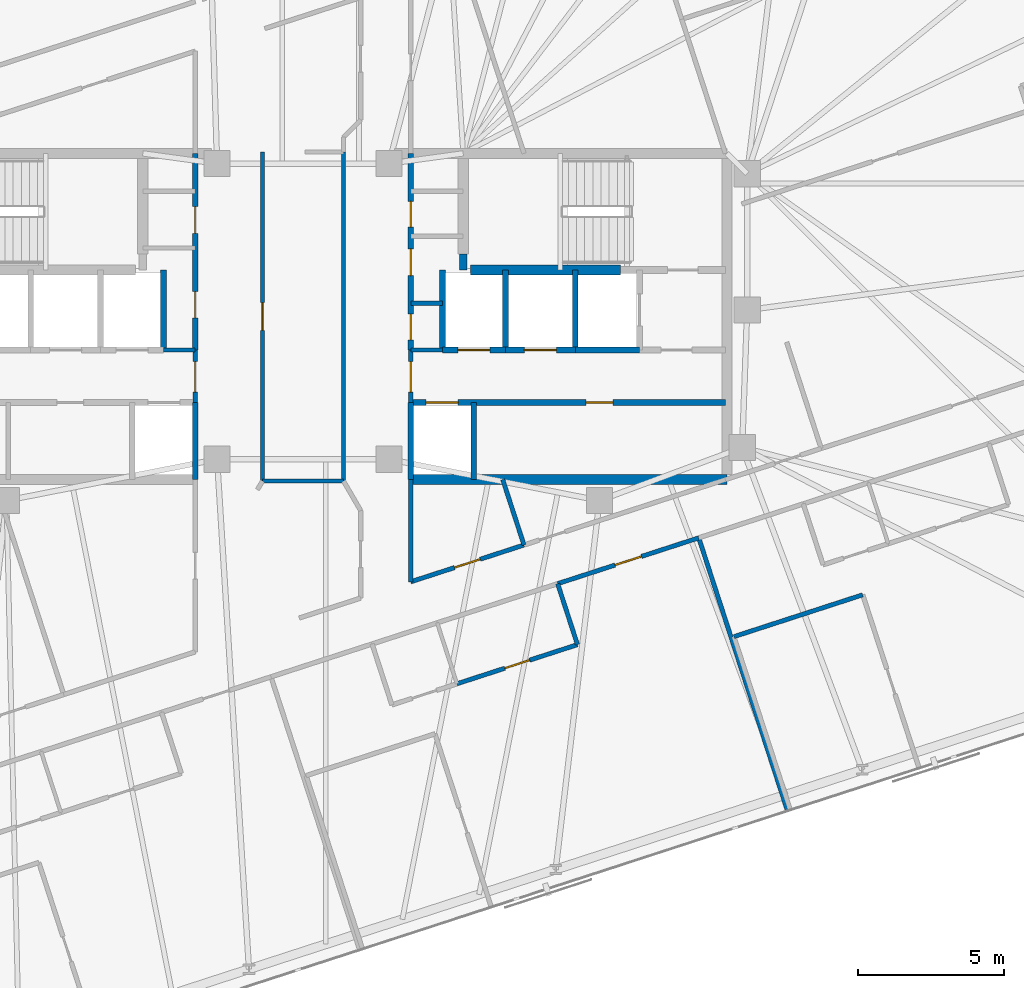
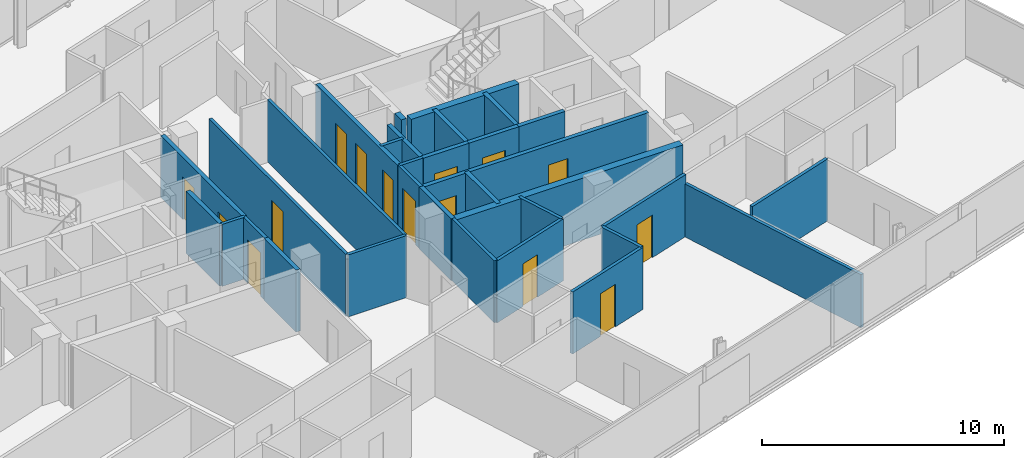
# One storey, part 15 of 19: 32 walls, 15 doors, 15 openings.
"""IFC4 building model written with IfcOpenShell, lengths in metres."""

from ifc_helpers import new_model, si_unit, direction, frame, frame_2d, origin, place, context, subcontext, project, spatial, rectangle, extrude, material, layer, layer_set, type_object, element, fill, save


model = new_model("IFC4")

# Units and contexts
model_context = context("Model", 3, precision=1e-05, world=origin(), true_north=direction((0.0, 1.0)))
body_context = subcontext(model_context, "Body", "Model", "MODEL_VIEW")
ifc_project = project(units=[si_unit("LENGTHUNIT", "METRE"), si_unit("AREAUNIT", "SQUARE_METRE"), si_unit("VOLUMEUNIT", "CUBIC_METRE"), si_unit("PLANEANGLEUNIT", "RADIAN"), si_unit("MASSUNIT", "GRAM", prefix="KILO")], contexts=[model_context])

# Site, building, storey
site_placement = place(None, origin())
site = spatial("IfcSite", under=ifc_project, at=site_placement, CompositionType="ELEMENT")
building_placement = place(site_placement, origin())
building = spatial("IfcBuilding", under=site, at=building_placement, Name="Menara Jurai Vektor", CompositionType="ELEMENT")
storey_placement = place(building_placement, frame((0.0, 0.0, 220.949951171875)))
storey = spatial("IfcBuildingStorey", under=building, at=storey_placement, Name="L58", CompositionType="ELEMENT", Elevation=220.949951171875)

# Walls
ifc_material_1 = material(Name="Concrete C40/50", Category="concrete")
ifc_layer_1 = layer(ifc_material_1, 0.25)
ifc_layer_set_1 = layer_set([ifc_layer_1], Name="Concrete C40/50")
wall_type_1 = type_object("IfcWallType", Name="INT-WALL-CORE-250", PredefinedType="STANDARD", material=ifc_layer_set_1)
wall_1_placement = place(storey_placement, frame((5.5, 1.60009765625, 0.0), z_axis=(0.0, 0.0, 1.0), x_axis=(0.0, 1.0, 0.0)))
element("IfcWall", 1, at=wall_1_placement, inside=storey, type_object=wall_type_1, Name="Interior Wall IW-250 L58", PredefinedType="STANDARD", context=body_context, shape_type="SweptSolid", body=[
    extrude(rectangle(XDim=0.5498046875, YDim=0.25, at=frame_2d((0.27490234375, 0.0))), origin(), (0.0, 0.0, 1.0), 3.125),
])
wall_2_placement = place(storey_placement, frame((9.35009765625, -1.14990234375, 0.0), z_axis=(0.0, 0.0, 1.0), x_axis=(0.0, 1.0, 0.0)))
element("IfcWall", 2, at=wall_2_placement, inside=storey, type_object=wall_type_1, Name="Interior Wall IW-250 L58", PredefinedType="STANDARD", context=body_context, shape_type="SweptSolid", body=[
    extrude(rectangle(XDim=2.75, YDim=0.199951171875, at=frame_2d((1.375, 0.0))), origin(), (0.0, 0.0, 1.0), 3.125),
])
wall_3_placement = place(storey_placement, frame((9.35009765625, -1.14990234375, 0.0), z_axis=(0.0, 0.0, 1.0), x_axis=(1.0, 0.0, 0.0)))
element("IfcWall", 3, at=wall_3_placement, inside=storey, type_object=wall_type_1, Name="Interior Wall IW-250 L58", PredefinedType="STANDARD", context=body_context, shape_type="SweptSolid", body=[
    extrude(rectangle(XDim=2.199951171875, YDim=0.199951171875, at=frame_2d((1.10009765625, 0.0))), origin(), (0.0, 0.0, 1.0), 3.125),
])

# Wall, opening, door
ifc_material_2 = material(Name="Gypsum Fireboard Partition", Category="gypsum")
ifc_layer_2 = layer(ifc_material_2, 0.14990234375)
ifc_layer_set_2 = layer_set([ifc_layer_2], Name="Gypsum Fireboard Partition")
wall_type_2 = type_object("IfcWallType", Name="INT-WALL-CORR-150", PredefinedType="PARTITIONING", material=ifc_layer_set_2)
wall_4_placement = place(storey_placement, frame((-3.699951171875, -2.949951171875, 0.0), z_axis=(0.0, 0.0, 1.0), x_axis=(0.0, 1.0, 0.0)))
wall_4 = element("IfcWall", 4, at=wall_4_placement, inside=storey, type_object=wall_type_2, Name="Interior Wall IW-150 L58", PredefinedType="PARTITIONING", context=body_context, shape_type="SweptSolid", body=[
    extrude(rectangle(XDim=1.800048828125, YDim=0.14990234375, at=frame_2d((0.89990234375, 0.0))), origin(), (0.0, 0.0, 1.0), 3.125),
])
opening_1_placement = place(wall_4_placement, frame((0.35009765625, 0.0, 0.0)))
opening_1 = element("IfcOpeningElement", 5, at=opening_1_placement, cuts=wall_4, Name="Opening D-L58-LLW", PredefinedType="OPENING", context=body_context, shape_type="SweptSolid", body=[
    extrude(rectangle(XDim=1.050048828125, YDim=2.179931640625, at=frame_2d((0.52490234375, 1.08984375))), frame((0.0, 0.0849609375, 0.0), z_axis=(0.0, -1.0, 0.0), x_axis=(1.0, 0.0, 0.0)), (0.0, 0.0, 1.0), 0.169921875),
])
ifc_material_3 = material(Name="Fire-Rated Timber Door", Category="wood")
door_type_1 = type_object("IfcDoorType", Name="DR-LOBBY-1050", OperationType="NOTDEFINED", PredefinedType="DOOR", material=ifc_material_3)
door_1_placement = place(opening_1_placement, origin())
door_1 = element("IfcDoor", 6, at=door_1_placement, inside=storey, type_object=door_type_1, Name="Lift Lobby Corridor Door W L58", OperationType="SINGLE_SWING_LEFT", OverallHeight=2.179931640625, OverallWidth=1.050048828125, PredefinedType="DOOR", context=body_context, shape_type="SweptSolid", body=[
    extrude(rectangle(XDim=1.050048828125, YDim=2.179931640625, at=frame_2d((0.52490234375, 1.08984375))), frame((0.0, 0.02490234375, 0.0), z_axis=(0.0, -1.0, 0.0), x_axis=(1.0, 0.0, 0.0)), (0.0, 0.0, 1.0), 0.050048828125),
])
fill(opening_1, door_1)

# Wall
wall_5_placement = place(storey_placement, frame((-4.7900390625, -1.14990234375, 0.0), z_axis=(0.0, 0.0, 1.0), x_axis=(1.0, 0.0, 0.0)))
element("IfcWall", 7, at=wall_5_placement, inside=storey, type_object=wall_type_2, Name="Interior Wall IW-150 L58", PredefinedType="PARTITIONING", context=body_context, shape_type="SweptSolid", body=[
    extrude(rectangle(XDim=1.090087890625, YDim=0.14990234375, at=frame_2d((0.544921875, 0.0))), origin(), (0.0, 0.0, 1.0), 3.125),
])

# Wall, opening, door
wall_6_placement = place(storey_placement, frame((3.699951171875, -2.949951171875, 0.0), z_axis=(0.0, 0.0, 1.0), x_axis=(0.0, 1.0, 0.0)))
wall_6 = element("IfcWall", 8, at=wall_6_placement, inside=storey, type_object=wall_type_2, Name="Interior Wall IW-150 L58", PredefinedType="PARTITIONING", context=body_context, shape_type="SweptSolid", body=[
    extrude(rectangle(XDim=1.800048828125, YDim=0.14990234375, at=frame_2d((0.89990234375, 0.0))), origin(), (0.0, 0.0, 1.0), 3.125),
])
opening_2_placement = place(wall_6_placement, frame((0.35009765625, 0.0, 0.0)))
opening_2 = element("IfcOpeningElement", 9, at=opening_2_placement, cuts=wall_6, Name="Opening D-L58-LLE", PredefinedType="OPENING", context=body_context, shape_type="SweptSolid", body=[
    extrude(rectangle(XDim=1.050048828125, YDim=2.179931640625, at=frame_2d((0.52490234375, 1.08984375))), frame((0.0, 0.0849609375, 0.0), z_axis=(0.0, -1.0, 0.0), x_axis=(1.0, 0.0, 0.0)), (0.0, 0.0, 1.0), 0.169921875),
])
door_2_placement = place(opening_2_placement, frame((1.050048828125, 0.0, 0.0), z_axis=(0.0, 0.0, 1.0), x_axis=(-1.0, 0.0, 0.0)))
door_2 = element("IfcDoor", 10, at=door_2_placement, inside=storey, type_object=door_type_1, Name="Lift Lobby Corridor Door E L58", OperationType="SINGLE_SWING_RIGHT", OverallHeight=2.179931640625, OverallWidth=1.050048828125, PredefinedType="DOOR", context=body_context, shape_type="SweptSolid", body=[
    extrude(rectangle(XDim=1.050048828125, YDim=2.179931640625, at=frame_2d((0.52490234375, 1.08984375))), frame((0.0, 0.02490234375, 0.0), z_axis=(0.0, -1.0, 0.0), x_axis=(1.0, 0.0, 0.0)), (0.0, 0.0, 1.0), 0.050048828125),
])
fill(opening_2, door_2)

# Walls
for number, where, z_axis, x_axis, name in (
    (11, (3.699951171875, -1.14990234375, 0.0), (0.0, 0.0, 1.0), (1.0, 0.0, 0.0), "Interior Wall IW-150 L58"),
    (12, (3.699951171875, 0.449951171875, 0.0), (0.0, 0.0, 1.0), (1.0, 0.0, 0.0), "Interior Wall IW-150 L58"),
):
    element("IfcWall", number, at=place(storey_placement, frame(where, z_axis=z_axis, x_axis=x_axis)), inside=storey, type_object=wall_type_2, Name=name, PredefinedType="PARTITIONING", context=body_context, shape_type="SweptSolid", body=[
        extrude(rectangle(XDim=1.090087890625, YDim=0.14990234375, at=frame_2d((0.544921875, 0.0))), origin(), (0.0, 0.0, 1.0), 3.125),
    ])

# Wall, opening, door
wall_7_placement = place(storey_placement, frame((-1.390625, -5.650146484375, 0.0), z_axis=(0.0, 0.0, 1.0), x_axis=(-8.6422954e-05, 0.999999996266, 0.0)))
wall_7 = element("IfcWall", 13, at=wall_7_placement, inside=storey, type_object=wall_type_2, Name="Interior Wall IW-150 L58", PredefinedType="PARTITIONING", context=body_context, shape_type="SweptSolid", body=[
    extrude(rectangle(XDim=11.2998046875, YDim=0.14990234375, at=frame_2d((5.64990234375, 0.0))), origin(), (0.0, 0.0, 1.0), 3.125),
])
opening_3_placement = place(wall_7_placement, frame((5.1748046875, 0.0, 0.0)))
opening_3 = element("IfcOpeningElement", 14, at=opening_3_placement, cuts=wall_7, Name="Opening D58-09", PredefinedType="OPENING", context=body_context, shape_type="SweptSolid", body=[
    extrude(rectangle(XDim=0.949951171875, YDim=2.14990234375, at=frame_2d((0.47509765625, 1.074951171875))), frame((0.0, 0.0849609375, 0.0), z_axis=(0.0, -1.0, 0.0), x_axis=(1.0, 0.0, 0.0)), (0.0, 0.0, 1.0), 0.169921875),
])
ifc_material_4 = material(Name="Solid Core Timber Fire Door", Category="wood")
door_type_2 = type_object("IfcDoorType", Name="DR-ENTRY-950", OperationType="NOTDEFINED", PredefinedType="DOOR", material=ifc_material_4)
door_3_placement = place(opening_3_placement, origin())
door_3 = element("IfcDoor", 15, at=door_3_placement, inside=storey, type_object=door_type_2, Name="Interior Door D58-09", OperationType="SINGLE_SWING_LEFT", OverallHeight=2.14990234375, OverallWidth=0.949951171875, PredefinedType="DOOR", context=body_context, shape_type="SweptSolid", body=[
    extrude(rectangle(XDim=0.949951171875, YDim=2.14990234375, at=frame_2d((0.47509765625, 1.074951171875))), frame((0.0, 0.02490234375, 0.0), z_axis=(0.0, -1.0, 0.0), x_axis=(1.0, 0.0, 0.0)), (0.0, 0.0, 1.0), 0.050048828125),
])
fill(opening_3, door_3)

# Wall
wall_8_placement = place(storey_placement, frame((1.39111328125, -5.6484375, 0.0), z_axis=(0.0, 0.0, 1.0), x_axis=(-4.3218947e-05, 0.999999999066, 0.0)))
element("IfcWall", 16, at=wall_8_placement, inside=storey, type_object=wall_type_2, Name="Interior Wall IW-150 L58", PredefinedType="PARTITIONING", context=body_context, shape_type="SweptSolid", body=[
    extrude(rectangle(XDim=11.2978515625, YDim=0.14990234375, at=frame_2d((5.64892578125, 0.0))), origin(), (0.0, 0.0, 1.0), 3.125),
])

# Wall, opening, door
wall_9_placement = place(storey_placement, frame((8.744140625, -9.173828125, 0.0), z_axis=(0.0, 0.0, 1.0), x_axis=(0.95105238152, 0.309029719615, 0.0)))
wall_9 = element("IfcWall", 17, at=wall_9_placement, inside=storey, type_object=wall_type_2, Name="Interior Wall IW-150 L58", PredefinedType="PARTITIONING", context=body_context, shape_type="SweptSolid", body=[
    extrude(rectangle(XDim=5.093994140625, YDim=0.14990234375, at=frame_2d((2.546875, 0.0))), origin(), (0.0, 0.0, 1.0), 3.125),
])
opening_4_placement = place(wall_9_placement, frame((2.072021484375, 0.0, 0.0)))
opening_4 = element("IfcOpeningElement", 18, at=opening_4_placement, cuts=wall_9, Name="Opening D58-26", PredefinedType="OPENING", context=body_context, shape_type="SweptSolid", body=[
    extrude(rectangle(XDim=0.949951171875, YDim=2.14990234375, at=frame_2d((0.47509765625, 1.074951171875))), frame((0.0, 0.0849609375, 0.0), z_axis=(0.0, -1.0, 0.0), x_axis=(1.0, 0.0, 0.0)), (0.0, 0.0, 1.0), 0.169921875),
])
door_4_placement = place(opening_4_placement, origin())
door_4 = element("IfcDoor", 19, at=door_4_placement, inside=storey, type_object=door_type_2, Name="Interior Door D58-26", OperationType="SINGLE_SWING_RIGHT", OverallHeight=2.14990234375, OverallWidth=0.949951171875, PredefinedType="DOOR", context=body_context, shape_type="SweptSolid", body=[
    extrude(rectangle(XDim=0.949951171875, YDim=2.14990234375, at=frame_2d((0.47509765625, 1.074951171875))), frame((0.0, 0.02490234375, 0.0), z_axis=(0.0, -1.0, 0.0), x_axis=(1.0, 0.0, 0.0)), (0.0, 0.0, 1.0), 0.050048828125),
])
fill(opening_4, door_4)

# Wall
wall_10_placement = place(storey_placement, frame((3.700439453125, -9.109130859375, 0.0), z_axis=(0.0, 0.0, 1.0), x_axis=(-0.000139130433, 0.999999990321, 0.0)))
element("IfcWall", 20, at=wall_10_placement, inside=storey, type_object=wall_type_2, Name="Interior Wall IW-150 L58", PredefinedType="PARTITIONING", context=body_context, shape_type="SweptSolid", body=[
    extrude(rectangle(XDim=3.509521484375, YDim=0.14990234375, at=frame_2d((1.7548828125, 0.0))), origin(), (0.0, 0.0, 1.0), 3.125),
])

# Wall, opening, door
wall_11_placement = place(storey_placement, frame((3.700439453125, -9.109130859375, 0.0), z_axis=(0.0, 0.0, 1.0), x_axis=(0.95106259184, 0.308998295145, 0.0)))
wall_11 = element("IfcWall", 21, at=wall_11_placement, inside=storey, type_object=wall_type_2, Name="Interior Wall IW-150 L58", PredefinedType="PARTITIONING", context=body_context, shape_type="SweptSolid", body=[
    extrude(rectangle(XDim=4.087890625, YDim=0.14990234375, at=frame_2d((2.0439453125, 0.0))), origin(), (0.0, 0.0, 1.0), 3.125),
])
opening_5_placement = place(wall_11_placement, frame((1.583984375, 0.0, 0.0)))
opening_5 = element("IfcOpeningElement", 22, at=opening_5_placement, cuts=wall_11, Name="Opening D58-39", PredefinedType="OPENING", context=body_context, shape_type="SweptSolid", body=[
    extrude(rectangle(XDim=0.919921875, YDim=2.14990234375, at=frame_2d((0.4599609375, 1.074951171875))), frame((0.0, 0.0849609375, 0.0), z_axis=(0.0, -1.0, 0.0), x_axis=(1.0, 0.0, 0.0)), (0.0, 0.0, 1.0), 0.169921875),
])
door_5_placement = place(opening_5_placement, origin())
door_5 = element("IfcDoor", 23, at=door_5_placement, inside=storey, type_object=door_type_2, Name="Interior Door D58-39", OperationType="SINGLE_SWING_LEFT", OverallHeight=2.14990234375, OverallWidth=0.919921875, PredefinedType="DOOR", context=body_context, shape_type="SweptSolid", body=[
    extrude(rectangle(XDim=0.919921875, YDim=2.14990234375, at=frame_2d((0.4599609375, 1.074951171875))), frame((0.0, 0.02490234375, 0.0), z_axis=(0.0, -1.0, 0.0), x_axis=(1.0, 0.0, 0.0)), (0.0, 0.0, 1.0), 0.050048828125),
])
fill(opening_5, door_5)

# Wall
wall_12_placement = place(storey_placement, frame((-1.390625, -5.650146484375, 0.0), z_axis=(0.0, 0.0, 1.0), x_axis=(0.999999965344, 0.000263273356, 0.0)))
element("IfcWall", 24, at=wall_12_placement, inside=storey, type_object=wall_type_2, Name="Interior Wall IW-150 L58", PredefinedType="PARTITIONING", context=body_context, shape_type="SweptSolid", body=[
    extrude(rectangle(XDim=2.781982421875, YDim=0.14990234375, at=frame_2d((1.39111328125, 0.0))), origin(), (0.0, 0.0, 1.0), 3.125),
])

# Wall, opening, door
wall_13_placement = place(storey_placement, frame((5.287109375, -12.6103515625, 0.0), z_axis=(0.0, 0.0, 1.0), x_axis=(0.951052627573, 0.309028962374, 0.0)))
wall_13 = element("IfcWall", 25, at=wall_13_placement, inside=storey, type_object=wall_type_2, Name="Interior Wall IW-150 L58", PredefinedType="PARTITIONING", context=body_context, shape_type="SweptSolid", body=[
    extrude(rectangle(XDim=4.349853515625, YDim=0.14990234375, at=frame_2d((2.1748046875, 0.0))), origin(), (0.0, 0.0, 1.0), 3.125),
])
opening_6_placement = place(wall_13_placement, frame((1.72509765625, 0.0, 0.0)))
opening_6 = element("IfcOpeningElement", 26, at=opening_6_placement, cuts=wall_13, Name="Opening D58-28", PredefinedType="OPENING", context=body_context, shape_type="SweptSolid", body=[
    extrude(rectangle(XDim=0.89990234375, YDim=2.14990234375, at=frame_2d((0.449951171875, 1.074951171875))), frame((0.0, 0.0849609375, 0.0), z_axis=(0.0, -1.0, 0.0), x_axis=(1.0, 0.0, 0.0)), (0.0, 0.0, 1.0), 0.169921875),
])
ifc_material_5 = material(Name="Acoustic Timber Interior Door", Category="wood")
door_type_3 = type_object("IfcDoorType", Name="DR-ROOM-900", OperationType="NOTDEFINED", PredefinedType="DOOR", material=ifc_material_5)
door_6_placement = place(opening_6_placement, origin())
door_6 = element("IfcDoor", 27, at=door_6_placement, inside=storey, type_object=door_type_3, Name="Interior Door D58-28", OperationType="SINGLE_SWING_RIGHT", OverallHeight=2.14990234375, OverallWidth=0.89990234375, PredefinedType="DOOR", context=body_context, shape_type="SweptSolid", body=[
    extrude(rectangle(XDim=0.89990234375, YDim=2.14990234375, at=frame_2d((0.449951171875, 1.074951171875))), frame((0.0, 0.02490234375, 0.0), z_axis=(0.0, -1.0, 0.0), x_axis=(1.0, 0.0, 0.0)), (0.0, 0.0, 1.0), 0.050048828125),
])
fill(opening_6, door_6)

# Walls
wall_14_placement = place(storey_placement, frame((9.424072265625, -11.26611328125, 0.0), z_axis=(0.0, 0.0, 1.0), x_axis=(-0.309060979314, 0.951042223598, 0.0)))
element("IfcWall", 28, at=wall_14_placement, inside=storey, type_object=wall_type_2, Name="Interior Wall IW-150 L58", PredefinedType="PARTITIONING", context=body_context, shape_type="SweptSolid", body=[
    extrude(rectangle(XDim=2.199951171875, YDim=0.14990234375, at=frame_2d((1.10009765625, 0.0))), origin(), (0.0, 0.0, 1.0), 3.125),
])
wall_15_placement = place(storey_placement, frame((14.79638671875, -10.992431640625, 0.0), z_axis=(0.0, 0.0, 1.0), x_axis=(0.951070715387, 0.308973290646, 0.0)))
element("IfcWall", 29, at=wall_15_placement, inside=storey, type_object=wall_type_2, Name="Interior Wall IW-150 L58", PredefinedType="PARTITIONING", context=body_context, shape_type="SweptSolid", body=[
    extrude(rectangle(XDim=4.650146484375, YDim=0.14990234375, at=frame_2d((2.3251953125, 0.0))), origin(), (0.0, 0.0, 1.0), 3.125),
])
wall_16_placement = place(storey_placement, frame((7.58837890625, -7.845947265625, 0.0), z_axis=(0.0, 0.0, 1.0), x_axis=(-0.309055688452, 0.951043942957, 0.0)))
element("IfcWall", 30, at=wall_16_placement, inside=storey, type_object=wall_type_2, Name="Interior Wall IW-150 L58", PredefinedType="PARTITIONING", context=body_context, shape_type="SweptSolid", body=[
    extrude(rectangle(XDim=2.362060546875, YDim=0.14990234375, at=frame_2d((1.18115234375, 0.0))), origin(), (0.0, 0.0, 1.0), 3.125),
])
ifc_layer_3 = layer(ifc_material_2, 0.14990234375)
ifc_layer_set_3 = layer_set([ifc_layer_3], Name="Gypsum Fireboard Partition")
wall_type_3 = type_object("IfcWallType", Name="INT-WALL-CORR-150-H1", PredefinedType="PARTITIONING", material=ifc_layer_set_3)
wall_17_placement = place(storey_placement, frame((16.636474609375, -16.97900390625, 0.0), z_axis=(0.0, 0.0, 1.0), x_axis=(-0.309022258842, 0.95105480575, 0.0)))
element("IfcWall", 31, at=wall_17_placement, inside=storey, type_object=wall_type_3, Name="Interior Wall IW-150 L58", PredefinedType="PARTITIONING", context=body_context, shape_type="SweptSolid", body=[
    extrude(rectangle(XDim=9.862060546875, YDim=0.14990234375, at=frame_2d((4.93115234375, 0.0))), origin(), (0.0, 0.0, 1.0), 2.675048828125),
])

# Wall, openings, doors
ifc_layer_4 = layer(ifc_material_1, 0.199951171875)
ifc_layer_set_4 = layer_set([ifc_layer_4], Name="Concrete C40/50")
wall_type_4 = type_object("IfcWallType", Name="INT-WALL-SHAFT-200", PredefinedType="STANDARD", material=ifc_layer_set_4)
wall_18_placement = place(storey_placement, frame((-3.699951171875, -1.14990234375, 0.0), z_axis=(0.0, 0.0, 1.0), x_axis=(0.0, 1.0, 0.0)))
wall_18 = element("IfcWall", 32, at=wall_18_placement, inside=storey, type_object=wall_type_4, Name="Interior Wall IW-200 L58", PredefinedType="STANDARD", context=body_context, shape_type="SweptSolid", body=[
    extrude(rectangle(XDim=6.75, YDim=0.199951171875, at=frame_2d((3.375, 0.0))), origin(), (0.0, 0.0, 1.0), 3.125),
])
opening_7_placement = place(wall_18_placement, frame((1.10009765625, 0.0, 0.0)))
opening_7 = element("IfcOpeningElement", 33, at=opening_7_placement, cuts=wall_18, Name="Opening D58-03", PredefinedType="OPENING", context=body_context, shape_type="SweptSolid", body=[
    extrude(rectangle(XDim=0.89990234375, YDim=2.14990234375, at=frame_2d((0.449951171875, 1.074951171875))), frame((0.0, 0.10986328125, 0.0), z_axis=(0.0, -1.0, 0.0), x_axis=(1.0, 0.0, 0.0)), (0.0, 0.0, 1.0), 0.219970703125),
])
opening_8_placement = place(wall_18_placement, frame((4.0, 0.0, 0.0)))
opening_8 = element("IfcOpeningElement", 34, at=opening_8_placement, cuts=wall_18, Name="Opening D58-04", PredefinedType="OPENING", context=body_context, shape_type="SweptSolid", body=[
    extrude(rectangle(XDim=0.919921875, YDim=2.14990234375, at=frame_2d((0.4599609375, 1.074951171875))), frame((0.0, 0.10986328125, 0.0), z_axis=(0.0, -1.0, 0.0), x_axis=(1.0, 0.0, 0.0)), (0.0, 0.0, 1.0), 0.219970703125),
])
door_7_placement = place(opening_7_placement, origin())
door_7 = element("IfcDoor", 35, at=door_7_placement, inside=storey, type_object=door_type_2, Name="Interior Door D58-03", OperationType="SINGLE_SWING_LEFT", OverallHeight=2.14990234375, OverallWidth=0.89990234375, PredefinedType="DOOR", context=body_context, shape_type="SweptSolid", body=[
    extrude(rectangle(XDim=0.89990234375, YDim=2.14990234375, at=frame_2d((0.449951171875, 1.074951171875))), frame((0.0, 0.02490234375, 0.0), z_axis=(0.0, -1.0, 0.0), x_axis=(1.0, 0.0, 0.0)), (0.0, 0.0, 1.0), 0.050048828125),
])
fill(opening_7, door_7)
door_8_placement = place(opening_8_placement, origin())
door_8 = element("IfcDoor", 36, at=door_8_placement, inside=storey, type_object=door_type_2, Name="Interior Door D58-04", OperationType="SINGLE_SWING_LEFT", OverallHeight=2.14990234375, OverallWidth=0.919921875, PredefinedType="DOOR", context=body_context, shape_type="SweptSolid", body=[
    extrude(rectangle(XDim=0.919921875, YDim=2.14990234375, at=frame_2d((0.4599609375, 1.074951171875))), frame((0.0, 0.02490234375, 0.0), z_axis=(0.0, -1.0, 0.0), x_axis=(1.0, 0.0, 0.0)), (0.0, 0.0, 1.0), 0.050048828125),
])
fill(opening_8, door_8)

# Walls
wall_19_placement = place(storey_placement, frame((-3.699951171875, -5.60009765625, 0.0), z_axis=(0.0, 0.0, 1.0), x_axis=(0.0, 1.0, 0.0)))
element("IfcWall", 37, at=wall_19_placement, inside=storey, type_object=wall_type_4, Name="Interior Wall IW-200 L58", PredefinedType="STANDARD", context=body_context, shape_type="SweptSolid", body=[
    extrude(rectangle(XDim=2.650146484375, YDim=0.199951171875, at=frame_2d((1.3251953125, 0.0))), origin(), (0.0, 0.0, 1.0), 3.125),
])
wall_20_placement = place(storey_placement, frame((-4.7900390625, -1.14990234375, 0.0), z_axis=(0.0, 0.0, 1.0), x_axis=(0.0, 1.0, 0.0)))
element("IfcWall", 38, at=wall_20_placement, inside=storey, type_object=wall_type_4, Name="Interior Wall IW-200 L58", PredefinedType="STANDARD", context=body_context, shape_type="SweptSolid", body=[
    extrude(rectangle(XDim=2.75, YDim=0.199951171875, at=frame_2d((1.375, 0.0))), origin(), (0.0, 0.0, 1.0), 3.125),
])

# Wall, openings, doors
wall_21_placement = place(storey_placement, frame((3.699951171875, -1.14990234375, 0.0), z_axis=(0.0, 0.0, 1.0), x_axis=(0.0, 1.0, 0.0)))
wall_21 = element("IfcWall", 39, at=wall_21_placement, inside=storey, type_object=wall_type_4, Name="Interior Wall IW-200 L58", PredefinedType="STANDARD", context=body_context, shape_type="SweptSolid", body=[
    extrude(rectangle(XDim=6.75, YDim=0.199951171875, at=frame_2d((3.375, 0.0))), origin(), (0.0, 0.0, 1.0), 3.125),
])
opening_9_placement = place(wall_21_placement, frame((0.35009765625, 0.0, 0.0)))
opening_9 = element("IfcOpeningElement", 40, at=opening_9_placement, cuts=wall_21, Name="Opening D58-06", PredefinedType="OPENING", context=body_context, shape_type="SweptSolid", body=[
    extrude(rectangle(XDim=0.8798828125, YDim=2.14990234375, at=frame_2d((0.43994140625, 1.074951171875))), frame((0.0, 0.10986328125, 0.0), z_axis=(0.0, -1.0, 0.0), x_axis=(1.0, 0.0, 0.0)), (0.0, 0.0, 1.0), 0.219970703125),
])
opening_10_placement = place(wall_21_placement, frame((2.550048828125, 0.0, 0.0)))
opening_10 = element("IfcOpeningElement", 41, at=opening_10_placement, cuts=wall_21, Name="Opening D58-07", PredefinedType="OPENING", context=body_context, shape_type="SweptSolid", body=[
    extrude(rectangle(XDim=0.919921875, YDim=2.14990234375, at=frame_2d((0.4599609375, 1.074951171875))), frame((0.0, 0.10986328125, 0.0), z_axis=(0.0, -1.0, 0.0), x_axis=(1.0, 0.0, 0.0)), (0.0, 0.0, 1.0), 0.219970703125),
])
opening_11_placement = place(wall_21_placement, frame((4.219970703125, 0.0, 0.0)))
opening_11 = element("IfcOpeningElement", 42, at=opening_11_placement, cuts=wall_21, Name="Opening D58-08", PredefinedType="OPENING", context=body_context, shape_type="SweptSolid", body=[
    extrude(rectangle(XDim=0.8798828125, YDim=2.14990234375, at=frame_2d((0.43994140625, 1.074951171875))), frame((0.0, 0.10986328125, 0.0), z_axis=(0.0, -1.0, 0.0), x_axis=(1.0, 0.0, 0.0)), (0.0, 0.0, 1.0), 0.219970703125),
])
door_9_placement = place(opening_9_placement, origin())
door_9 = element("IfcDoor", 43, at=door_9_placement, inside=storey, type_object=door_type_2, Name="Interior Door D58-06", OperationType="SINGLE_SWING_RIGHT", OverallHeight=2.14990234375, OverallWidth=0.8798828125, PredefinedType="DOOR", context=body_context, shape_type="SweptSolid", body=[
    extrude(rectangle(XDim=0.8798828125, YDim=2.14990234375, at=frame_2d((0.43994140625, 1.074951171875))), frame((0.0, 0.02490234375, 0.0), z_axis=(0.0, -1.0, 0.0), x_axis=(1.0, 0.0, 0.0)), (0.0, 0.0, 1.0), 0.050048828125),
])
fill(opening_9, door_9)
door_10_placement = place(opening_10_placement, origin())
door_10 = element("IfcDoor", 44, at=door_10_placement, inside=storey, type_object=door_type_2, Name="Interior Door D58-07", OperationType="SINGLE_SWING_RIGHT", OverallHeight=2.14990234375, OverallWidth=0.919921875, PredefinedType="DOOR", context=body_context, shape_type="SweptSolid", body=[
    extrude(rectangle(XDim=0.919921875, YDim=2.14990234375, at=frame_2d((0.4599609375, 1.074951171875))), frame((0.0, 0.02490234375, 0.0), z_axis=(0.0, -1.0, 0.0), x_axis=(1.0, 0.0, 0.0)), (0.0, 0.0, 1.0), 0.050048828125),
])
fill(opening_10, door_10)
door_11_placement = place(opening_11_placement, origin())
door_11 = element("IfcDoor", 45, at=door_11_placement, inside=storey, type_object=door_type_2, Name="Interior Door D58-08", OperationType="SINGLE_SWING_RIGHT", OverallHeight=2.14990234375, OverallWidth=0.8798828125, PredefinedType="DOOR", context=body_context, shape_type="SweptSolid", body=[
    extrude(rectangle(XDim=0.8798828125, YDim=2.14990234375, at=frame_2d((0.43994140625, 1.074951171875))), frame((0.0, 0.02490234375, 0.0), z_axis=(0.0, -1.0, 0.0), x_axis=(1.0, 0.0, 0.0)), (0.0, 0.0, 1.0), 0.050048828125),
])
fill(opening_11, door_11)

# Walls
wall_22_placement = place(storey_placement, frame((3.699951171875, -5.60009765625, 0.0), z_axis=(0.0, 0.0, 1.0), x_axis=(0.0, 1.0, 0.0)))
element("IfcWall", 46, at=wall_22_placement, inside=storey, type_object=wall_type_4, Name="Interior Wall IW-200 L58", PredefinedType="STANDARD", context=body_context, shape_type="SweptSolid", body=[
    extrude(rectangle(XDim=2.650146484375, YDim=0.199951171875, at=frame_2d((1.3251953125, 0.0))), origin(), (0.0, 0.0, 1.0), 3.125),
])
wall_23_placement = place(storey_placement, frame((6.949951171875, -1.14990234375, 0.0), z_axis=(0.0, 0.0, 1.0), x_axis=(0.0, 1.0, 0.0)))
element("IfcWall", 47, at=wall_23_placement, inside=storey, type_object=wall_type_4, Name="Interior Wall IW-200 L58", PredefinedType="STANDARD", context=body_context, shape_type="SweptSolid", body=[
    extrude(rectangle(XDim=2.75, YDim=0.199951171875, at=frame_2d((1.375, 0.0))), origin(), (0.0, 0.0, 1.0), 3.125),
])

# Wall, opening, door
wall_24_placement = place(storey_placement, frame((6.949951171875, -1.14990234375, 0.0), z_axis=(0.0, 0.0, 1.0), x_axis=(1.0, 0.0, 0.0)))
wall_24 = element("IfcWall", 48, at=wall_24_placement, inside=storey, type_object=wall_type_4, Name="Interior Wall IW-200 L58", PredefinedType="STANDARD", context=body_context, shape_type="SweptSolid", body=[
    extrude(rectangle(XDim=2.400146484375, YDim=0.199951171875, at=frame_2d((1.2001953125, 0.0))), origin(), (0.0, 0.0, 1.0), 3.125),
])
opening_12_placement = place(wall_24_placement, frame((0.64990234375, 0.0, 0.0)))
opening_12 = element("IfcOpeningElement", 49, at=opening_12_placement, cuts=wall_24, Name="Opening LD-L58-SVL2", PredefinedType="OPENING", context=body_context, shape_type="SweptSolid", body=[
    extrude(rectangle(XDim=1.10009765625, YDim=2.14990234375, at=frame_2d((0.550048828125, 1.074951171875))), frame((0.0, 0.10986328125, 0.0), z_axis=(0.0, -1.0, 0.0), x_axis=(1.0, 0.0, 0.0)), (0.0, 0.0, 1.0), 0.219970703125),
])
ifc_material_6 = material(Name="Anodised Stainless Sliding Lift Landing Door", Category="steel")
door_type_4 = type_object("IfcDoorType", Name="DR-LIFT-PASS-1100", OperationType="NOTDEFINED", PredefinedType="DOOR", material=ifc_material_6)
door_12_placement = place(opening_12_placement, origin())
door_12 = element("IfcDoor", 50, at=door_12_placement, inside=storey, type_object=door_type_4, Name="Lift Landing Door SVL2 L58", OperationType="SLIDING_TO_RIGHT", OverallHeight=2.14990234375, OverallWidth=1.10009765625, PredefinedType="DOOR", context=body_context, shape_type="SweptSolid", body=[
    extrude(rectangle(XDim=1.10009765625, YDim=2.14990234375, at=frame_2d((0.550048828125, 1.074951171875))), frame((0.0, 0.02490234375, 0.0), z_axis=(0.0, -1.0, 0.0), x_axis=(1.0, 0.0, 0.0)), (0.0, 0.0, 1.0), 0.050048828125),
])
fill(opening_12, door_12)

# Wall
wall_25_placement = place(storey_placement, frame((4.7900390625, -1.14990234375, 0.0), z_axis=(0.0, 0.0, 1.0), x_axis=(0.0, 1.0, 0.0)))
element("IfcWall", 51, at=wall_25_placement, inside=storey, type_object=wall_type_4, Name="Interior Wall IW-200 L58", PredefinedType="STANDARD", context=body_context, shape_type="SweptSolid", body=[
    extrude(rectangle(XDim=2.75, YDim=0.199951171875, at=frame_2d((1.375, 0.0))), origin(), (0.0, 0.0, 1.0), 3.125),
])

# Wall, opening, door
wall_26_placement = place(storey_placement, frame((4.7900390625, -1.14990234375, 0.0), z_axis=(0.0, 0.0, 1.0), x_axis=(1.0, 0.0, 0.0)))
wall_26 = element("IfcWall", 52, at=wall_26_placement, inside=storey, type_object=wall_type_4, Name="Interior Wall IW-200 L58", PredefinedType="STANDARD", context=body_context, shape_type="SweptSolid", body=[
    extrude(rectangle(XDim=2.159912109375, YDim=0.199951171875, at=frame_2d((1.080078125, 0.0))), origin(), (0.0, 0.0, 1.0), 3.125),
])
opening_13_placement = place(wall_26_placement, frame((0.530029296875, 0.0, 0.0)))
opening_13 = element("IfcOpeningElement", 53, at=opening_13_placement, cuts=wall_26, Name="Opening LD-L58-PH4", PredefinedType="OPENING", context=body_context, shape_type="SweptSolid", body=[
    extrude(rectangle(XDim=1.10009765625, YDim=2.14990234375, at=frame_2d((0.550048828125, 1.074951171875))), frame((0.0, 0.10986328125, 0.0), z_axis=(0.0, -1.0, 0.0), x_axis=(1.0, 0.0, 0.0)), (0.0, 0.0, 1.0), 0.219970703125),
])
door_13_placement = place(opening_13_placement, origin())
door_13 = element("IfcDoor", 54, at=door_13_placement, inside=storey, type_object=door_type_4, Name="Lift Landing Door PH4 L58", OperationType="SLIDING_TO_LEFT", OverallHeight=2.14990234375, OverallWidth=1.10009765625, PredefinedType="DOOR", context=body_context, shape_type="SweptSolid", body=[
    extrude(rectangle(XDim=1.10009765625, YDim=2.14990234375, at=frame_2d((0.550048828125, 1.074951171875))), frame((0.0, 0.02490234375, 0.0), z_axis=(0.0, -1.0, 0.0), x_axis=(1.0, 0.0, 0.0)), (0.0, 0.0, 1.0), 0.050048828125),
])
fill(opening_13, door_13)

# Wall, openings, doors
wall_27_placement = place(storey_placement, frame((3.699951171875, -2.949951171875, 0.0), z_axis=(0.0, 0.0, 1.0), x_axis=(1.0, 0.0, 0.0)))
wall_27 = element("IfcWall", 55, at=wall_27_placement, inside=storey, type_object=wall_type_4, Name="Interior Wall IW-200 L58", PredefinedType="STANDARD", context=body_context, shape_type="SweptSolid", body=[
    extrude(rectangle(XDim=10.800048828125, YDim=0.199951171875, at=frame_2d((5.39990234375, 0.0))), origin(), (0.0, 0.0, 1.0), 3.125),
])
opening_14_placement = place(wall_27_placement, frame((0.530029296875, 0.0, 0.0)))
opening_14 = element("IfcOpeningElement", 56, at=opening_14_placement, cuts=wall_27, Name="Opening LD-L58-PH3", PredefinedType="OPENING", context=body_context, shape_type="SweptSolid", body=[
    extrude(rectangle(XDim=1.10009765625, YDim=2.14990234375, at=frame_2d((0.550048828125, 1.074951171875))), frame((0.0, 0.10986328125, 0.0), z_axis=(0.0, -1.0, 0.0), x_axis=(1.0, 0.0, 0.0)), (0.0, 0.0, 1.0), 0.219970703125),
])
opening_15_placement = place(wall_27_placement, frame((6.02001953125, 0.0, 0.0)))
opening_15 = element("IfcOpeningElement", 57, at=opening_15_placement, cuts=wall_27, Name="Opening D58-05", PredefinedType="OPENING", context=body_context, shape_type="SweptSolid", body=[
    extrude(rectangle(XDim=0.919921875, YDim=2.14990234375, at=frame_2d((0.4599609375, 1.074951171875))), frame((0.0, 0.10986328125, 0.0), z_axis=(0.0, -1.0, 0.0), x_axis=(1.0, 0.0, 0.0)), (0.0, 0.0, 1.0), 0.219970703125),
])
door_14_placement = place(opening_15_placement, origin())
door_14 = element("IfcDoor", 58, at=door_14_placement, inside=storey, type_object=door_type_2, Name="Interior Door D58-05", OperationType="SINGLE_SWING_LEFT", OverallHeight=2.14990234375, OverallWidth=0.919921875, PredefinedType="DOOR", context=body_context, shape_type="SweptSolid", body=[
    extrude(rectangle(XDim=0.919921875, YDim=2.14990234375, at=frame_2d((0.4599609375, 1.074951171875))), frame((0.0, 0.02490234375, 0.0), z_axis=(0.0, -1.0, 0.0), x_axis=(1.0, 0.0, 0.0)), (0.0, 0.0, 1.0), 0.050048828125),
])
fill(opening_15, door_14)
door_15_placement = place(opening_14_placement, origin())
door_15 = element("IfcDoor", 59, at=door_15_placement, inside=storey, type_object=door_type_4, Name="Lift Landing Door PH3 L58", OperationType="SLIDING_TO_RIGHT", OverallHeight=2.14990234375, OverallWidth=1.10009765625, PredefinedType="DOOR", context=body_context, shape_type="SweptSolid", body=[
    extrude(rectangle(XDim=1.10009765625, YDim=2.14990234375, at=frame_2d((0.550048828125, 1.074951171875))), frame((0.0, 0.02490234375, 0.0), z_axis=(0.0, -1.0, 0.0), x_axis=(1.0, 0.0, 0.0)), (0.0, 0.0, 1.0), 0.050048828125),
])
fill(opening_14, door_15)

# Walls
wall_28_placement = place(storey_placement, frame((5.860107421875, -5.60009765625, 0.0), z_axis=(0.0, 0.0, 1.0), x_axis=(0.0, 1.0, 0.0)))
element("IfcWall", 60, at=wall_28_placement, inside=storey, type_object=wall_type_4, Name="Interior Wall IW-200 L58", PredefinedType="STANDARD", context=body_context, shape_type="SweptSolid", body=[
    extrude(rectangle(XDim=2.650146484375, YDim=0.199951171875, at=frame_2d((1.3251953125, 0.0))), origin(), (0.0, 0.0, 1.0), 3.125),
])
ifc_material_7 = material(Name="Concrete C50/60", Category="concrete")
ifc_layer_5 = layer(ifc_material_7, 0.35009765625)
ifc_layer_set_5 = layer_set([ifc_layer_5], Name="Concrete C50/60")
wall_type_5 = type_object("IfcWallType", Name="STR-WALL-CORE350", PredefinedType="SHEAR", material=ifc_layer_set_5)
wall_29_placement = place(storey_placement, frame((3.699951171875, -5.60009765625, 0.0), z_axis=(0.0, 0.0, 1.0), x_axis=(1.0, 0.0, 0.0)))
element("IfcWall", 61, at=wall_29_placement, inside=storey, type_object=wall_type_5, Name="Core Shear Wall CW-E-S L58", PredefinedType="SHEAR", context=body_context, shape_type="SweptSolid", body=[
    extrude(rectangle(XDim=10.860107421875, YDim=0.35009765625, at=frame_2d((5.43017578125, 0.0))), origin(), (0.0, 0.0, 1.0), 3.125),
])
wall_30_placement = place(storey_placement, frame((5.75, 1.60009765625, 0.0), z_axis=(0.0, 0.0, 1.0), x_axis=(1.0, 0.0, 0.0)))
element("IfcWall", 62, at=wall_30_placement, inside=storey, type_object=wall_type_5, Name="Core Shear Wall CW-E-STS L58", PredefinedType="SHEAR", context=body_context, shape_type="SweptSolid", body=[
    extrude(rectangle(XDim=5.14990234375, YDim=0.35009765625, at=frame_2d((2.574951171875, 0.0))), origin(), (0.0, 0.0, 1.0), 3.125),
])

save(model, "model.ifc")
